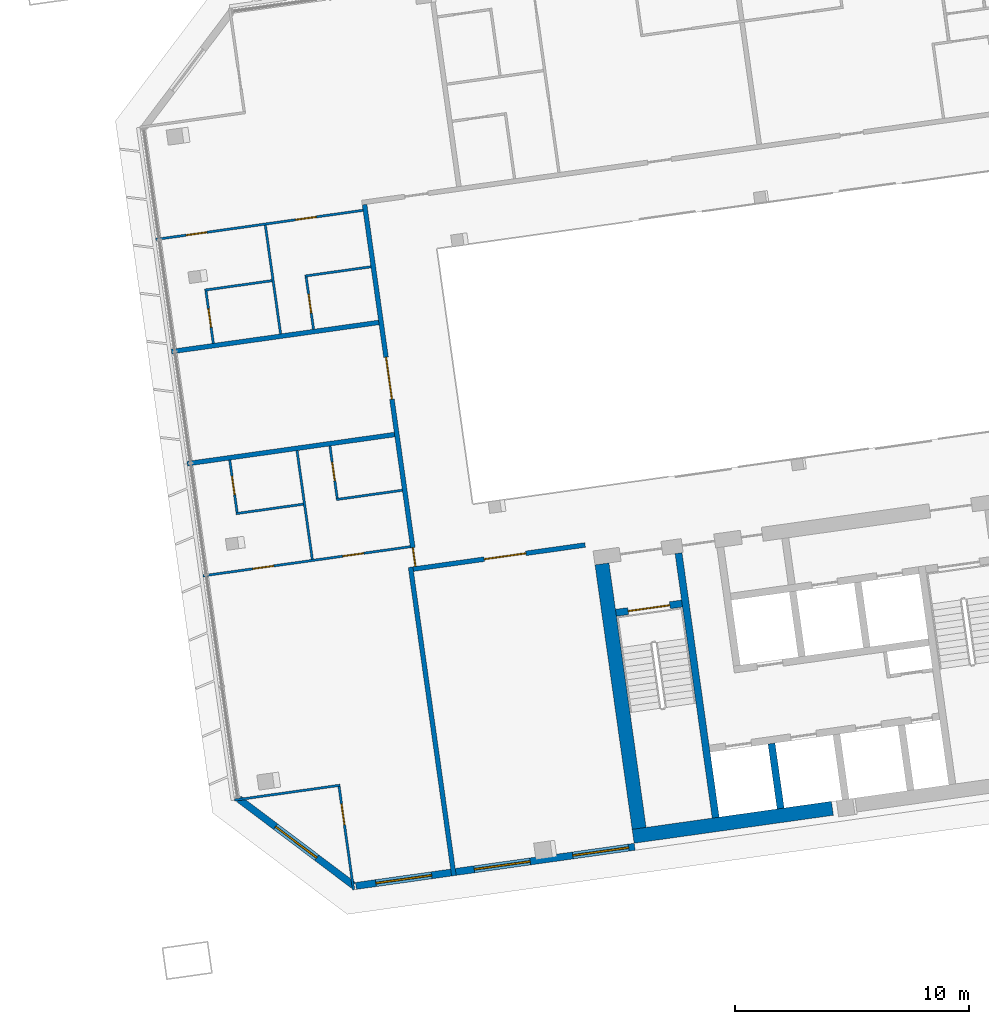
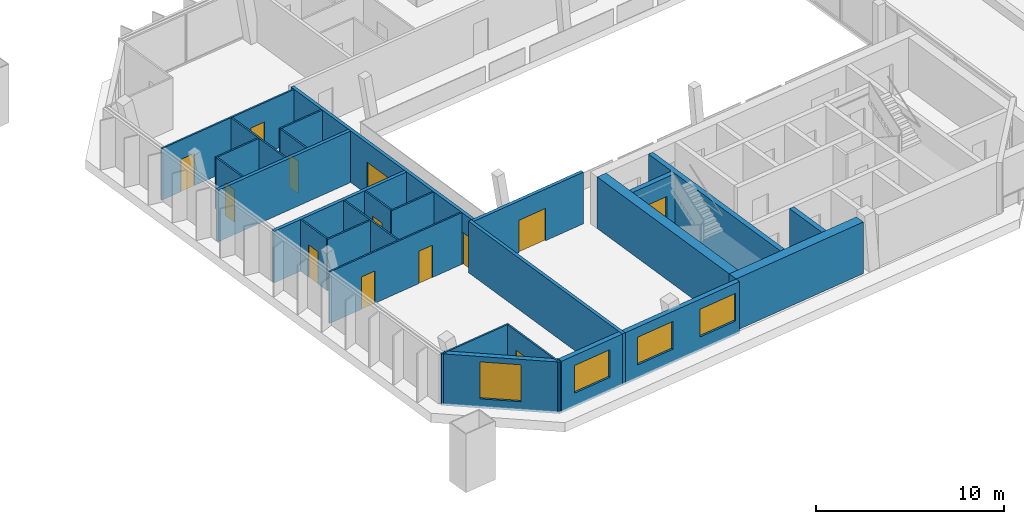
# One storey, part 12 of 17: 26 walls, 13 doors, 4 windows, 17 openings.
"""IFC4 building model written with IfcOpenShell, lengths in metres."""

import ifcopenshell
import ifcopenshell.guid

model = None  # the IFC model being written
_history = None  # IfcOwnerHistory: only IFC2X3 demands one
_inside = {}  # id of a spatial element -> (the spatial element, [elements in it])
_under = {}  # id of a project, library or spatial element -> (it, [spatial elements below it])
_declared = {}  # id of a project -> (the project, [libraries it declares])
_typed = {}  # id of a type object -> (the type object, [elements of that type])
_made_of = {}  # id of a material, layer set ... -> (it, [elements and type objects made of it])


def new_model(schema):
    """Start an empty IFC model of exactly this schema.

    Asked for "IFC4X3", IfcOpenShell would pick the latest addendum, in which some entities
    have other attributes; the version numbers below select the first issue.
    IFC2X3 requires an IfcOwnerHistory on every rooted entity: one is made here for all.
    """
    global model, _history
    if schema == "IFC4X3":
        model = ifcopenshell.file(schema_version=(4, 3, 0, 0))
    else:
        model = ifcopenshell.file(schema=schema)
    _inside.clear()
    _under.clear()
    _declared.clear()
    _typed.clear()
    _made_of.clear()
    _history = None
    if model.schema == "IFC2X3":
        org = make("IfcOrganization", Name="unknown")
        user = make(
            "IfcPersonAndOrganization",
            ThePerson=make("IfcPerson", FamilyName="unknown"),
            TheOrganization=org,
        )
        app = make(
            "IfcApplication",
            ApplicationDeveloper=org,
            Version="unknown",
            ApplicationFullName="unknown",
            ApplicationIdentifier="unknown",
        )
        _history = make(
            "IfcOwnerHistory",
            OwningUser=user,
            OwningApplication=app,
            ChangeAction="ADDED",
            CreationDate=0,
        )
    return model


def make(cls, **values):
    """One entity of the class cls with the attributes given. An attribute that is None is left unset."""
    return model.create_entity(
        cls, **{name: value for name, value in values.items() if value is not None}
    )


def rooted(cls, **values):
    """An entity with a GlobalId (a new one), such as an element, a storey or a relation."""
    return make(cls, GlobalId=ifcopenshell.guid.new(), OwnerHistory=_history, **values)


def si_unit(unit_type, name, prefix=None):
    """IfcSIUnit, for example si_unit("LENGTHUNIT", "METRE", prefix="MILLI")."""
    return make("IfcSIUnit", UnitType=unit_type, Prefix=prefix, Name=name)


def assignment(units):
    """IfcUnitAssignment: the units of a project."""
    return None if units is None else make("IfcUnitAssignment", Units=units)


def point(xyz):
    """IfcCartesianPoint."""
    return None if xyz is None else make("IfcCartesianPoint", Coordinates=xyz)


def direction(xyz):
    """IfcDirection."""
    return None if xyz is None else make("IfcDirection", DirectionRatios=xyz)


def frame(location, z_axis=None, x_axis=None):
    """IfcAxis2Placement3D, a coordinate frame: its origin and axes. An axis left out is left unset."""
    return make(
        "IfcAxis2Placement3D",
        Location=point(location),
        Axis=direction(z_axis),
        RefDirection=direction(x_axis),
    )


def frame_2d(location, x_axis=None):
    """IfcAxis2Placement2D, a coordinate frame in the plane: its origin and x axis."""
    return make(
        "IfcAxis2Placement2D", Location=point(location), RefDirection=direction(x_axis)
    )


def origin():
    """The frame at (0, 0, 0) with its axes left unset."""
    return frame((0.0, 0.0, 0.0))


def place(relative_to, where):
    """IfcLocalPlacement: puts the frame where relative to a parent placement (None: the world)."""
    return make(
        "IfcLocalPlacement", PlacementRelTo=relative_to, RelativePlacement=where
    )


def context(
    kind, dimensions, precision=None, world=None, true_north=None, identifier=None
):
    """IfcGeometricRepresentationContext, for example the 3D "Model" context."""
    return make(
        "IfcGeometricRepresentationContext",
        ContextIdentifier=identifier,
        ContextType=kind,
        CoordinateSpaceDimension=dimensions,
        Precision=precision,
        WorldCoordinateSystem=world,
        TrueNorth=true_north,
    )


def subcontext(parent, identifier, kind, view, scale=None):
    """IfcGeometricRepresentationSubContext, for example "Body" below "Model"."""
    return make(
        "IfcGeometricRepresentationSubContext",
        ContextIdentifier=identifier,
        ContextType=kind,
        ParentContext=parent,
        TargetScale=scale,
        TargetView=view,
    )


def project(units=None, contexts=None):
    """IfcProject with its units and contexts."""
    return rooted(
        "IfcProject",
        Name="project",
        RepresentationContexts=contexts,
        UnitsInContext=assignment(units),
    )


def spatial(cls, under=None, at=None, **own):
    """A site, building, storey or space (cls), placed at a placement, below another one or the project."""
    s = rooted(cls, ObjectPlacement=at, **own)
    if under is not None:
        _under.setdefault(under.id(), (under, []))[1].append(s)
    return s


def profile(cls, at=None, kind="AREA", **sizes):
    """A parametric profile (cls). Its sizes go by their IFC names, for example OverallWidth=200.0."""
    return make(cls, ProfileType=kind, Position=at, **sizes)


def rectangle(**sizes):
    """IfcRectangleProfileDef."""
    return profile("IfcRectangleProfileDef", **sizes)


def extrude(swept, where, along, depth):
    """IfcExtrudedAreaSolid: the profile swept, set in the frame where, extruded along a direction by depth."""
    return make(
        "IfcExtrudedAreaSolid",
        SweptArea=swept,
        Position=where,
        ExtrudedDirection=direction(along),
        Depth=depth,
    )


def shape(context_of_items, identifier, shape_type, items):
    """IfcShapeRepresentation: the items that make up one representation, for example the "Body"."""
    return make(
        "IfcShapeRepresentation",
        ContextOfItems=context_of_items,
        RepresentationIdentifier=identifier,
        RepresentationType=shape_type,
        Items=items,
    )


def material(Name=None, Category=None):
    """IfcMaterial."""
    return make("IfcMaterial", Name=Name, Category=Category)


def layer(
    of_material, thickness, ventilated=None, Name=None, Category=None, Priority=None
):
    """IfcMaterialLayer: one layer of a wall or slab, of a material (None: an air gap)."""
    return make(
        "IfcMaterialLayer",
        Material=of_material,
        LayerThickness=thickness,
        IsVentilated=ventilated,
        Name=Name,
        Category=Category,
        Priority=Priority,
    )


def layer_set(layers, Name=None):
    """IfcMaterialLayerSet."""
    return make("IfcMaterialLayerSet", MaterialLayers=layers, LayerSetName=Name)


def made_of(thing, what):
    """Note that an element or type object is made of a material, layer set ...; save() writes the relation."""
    if what is not None:
        _made_of.setdefault(what.id(), (what, []))[1].append(thing)
    return thing


def type_object(cls, material=None, **own):
    """A type object (cls), such as IfcWallType, which elements share."""
    return made_of(rooted(cls, **own), material)


def element(
    cls,
    number,
    at=None,
    inside=None,
    cuts=None,
    type_object=None,
    material=None,
    context=None,
    identifier="Body",
    shape_type=None,
    held_by="IfcProductDefinitionShape",
    body=None,
    shapes=None,
    **own,
):
    """One element of the class cls, such as IfcWall. Its Tag is "e" and its number.

    at: its placement. inside: the storey or other place that contains it. cuts: it is an
    opening in that element (IfcRelVoidsElement). A single representation is given by context,
    identifier, shape_type and body (its items); several are given by shapes. held_by: the class
    of the entity that holds the representations. save() writes the other relations.
    """
    e = rooted(cls, Tag="e%d" % number, ObjectPlacement=at, **own)
    if body is not None:
        shapes = [shape(context, identifier, shape_type, body)]
    if shapes is not None:
        e.Representation = make(held_by, Representations=shapes)
    if inside is not None:
        _inside.setdefault(inside.id(), (inside, []))[1].append(e)
    if cuts is not None:
        rooted(
            "IfcRelVoidsElement", RelatingBuildingElement=cuts, RelatedOpeningElement=e
        )
    if type_object is not None:
        _typed.setdefault(type_object.id(), (type_object, []))[1].append(e)
    return made_of(e, material)


def fill(opening, filler):
    """IfcRelFillsElement: the door or window that sits in an opening."""
    return rooted(
        "IfcRelFillsElement",
        RelatingOpeningElement=opening,
        RelatedBuildingElement=filler,
    )


def aggregate(whole, parts):
    """IfcRelAggregates: a whole, such as a stair, and the parts it consists of."""
    return rooted("IfcRelAggregates", RelatingObject=whole, RelatedObjects=parts)


def save(model, path):
    """Write the relations noted so far, then the file.

    IfcRelAggregates (storeys below a building ...), IfcRelContainedInSpatialStructure (elements
    in a storey), IfcRelDefinesByType, IfcRelAssociatesMaterial and IfcRelDeclares: one each for
    every whole, place, type object, material and project.
    """
    for whole, parts in _under.values():
        aggregate(whole, parts)
    for where, things in _inside.values():
        rooted(
            "IfcRelContainedInSpatialStructure",
            RelatedElements=things,
            RelatingStructure=where,
        )
    for kind, things in _typed.values():
        rooted("IfcRelDefinesByType", RelatedObjects=things, RelatingType=kind)
    for what, things in _made_of.values():
        rooted("IfcRelAssociatesMaterial", RelatedObjects=things, RelatingMaterial=what)
    for by, libraries in _declared.values():
        rooted("IfcRelDeclares", RelatingContext=by, RelatedDefinitions=libraries)
    model.write(path)


model = new_model("IFC4")

# Units and contexts
model_context = context("Model", 3, precision=1e-05, world=origin(), true_north=direction((0.0, 1.0)))
body_context = subcontext(model_context, "Body", "Model", "MODEL_VIEW")
ifc_project = project(units=[si_unit("LENGTHUNIT", "METRE"), si_unit("AREAUNIT", "SQUARE_METRE"), si_unit("VOLUMEUNIT", "CUBIC_METRE"), si_unit("PLANEANGLEUNIT", "RADIAN"), si_unit("MASSUNIT", "GRAM", prefix="KILO")], contexts=[model_context])

# Site, building, storey
site_placement = place(None, origin())
site = spatial("IfcSite", under=ifc_project, at=site_placement, CompositionType="ELEMENT")
building_placement = place(site_placement, origin())
building = spatial("IfcBuilding", under=site, at=building_placement, Name="Mirante Cascada Hotel Towers", CompositionType="ELEMENT")
storey_placement = place(building_placement, frame((0.0, 0.0, 250.8)))
storey = spatial("IfcBuildingStorey", under=building, at=storey_placement, Name="L60", CompositionType="ELEMENT", Elevation=250.8)

# Wall, opening, door
ifc_material_1 = material(Name="Fire-rated plasterboard on metal studs")
ifc_layer_1 = layer(ifc_material_1, 0.2)
ifc_layer_set_1 = layer_set([ifc_layer_1], Name="Compartment wall 200 EI 120")
wall_type_1 = type_object("IfcWallType", Name="Compartment wall 200 EI 120", PredefinedType="PARTITIONING", material=ifc_layer_set_1)
wall_1_placement = place(storey_placement, frame((35.2634, -7.1173, 0.0), z_axis=(0.0, 0.0, 1.0), x_axis=(-0.9902678, -0.1391748, 0.0)))
wall_1 = element("IfcWall", 1, at=wall_1_placement, inside=storey, type_object=wall_type_1, Name="Wall 2-L60-02", PredefinedType="PARTITIONING", context=body_context, shape_type="SweptSolid", body=[
    extrude(rectangle(XDim=7.4108, YDim=0.2, at=frame_2d((3.7054, 0.0))), origin(), (0.0, 0.0, 1.0), 3.35),
])
opening_1_placement = place(wall_1_placement, frame((2.55, 0.0, 0.0)))
opening_1 = element("IfcOpeningElement", 2, at=opening_1_placement, cuts=wall_1, Name="Opening D2-L60-01", PredefinedType="OPENING", context=body_context, shape_type="SweptSolid", body=[
    extrude(rectangle(XDim=1.8, YDim=2.1, at=frame_2d((0.9, 1.05))), frame((0.0, 0.1, 0.0), z_axis=(0.0, -1.0, 0.0), x_axis=(1.0, 0.0, 0.0)), (0.0, 0.0, 1.0), 0.2),
])
ifc_material_2 = material(Name="Fire-rated timber door leaf", Category="wood")
door_type_1 = type_object("IfcDoorType", Name="Suite double door DG2 1800x2100 EI 60", OperationType="DOUBLE_DOOR_SINGLE_SWING", PredefinedType="DOOR", material=ifc_material_2)
door_1_placement = place(opening_1_placement, origin())
door_1 = element("IfcDoor", 3, at=door_1_placement, inside=storey, type_object=door_type_1, Name="Door D2-L60-01", OperationType="DOUBLE_DOOR_SINGLE_SWING", OverallHeight=2.1, OverallWidth=1.8, PredefinedType="DOOR", context=body_context, shape_type="SweptSolid", body=[
    extrude(rectangle(XDim=0.895, YDim=2.1, at=frame_2d((0.4475, 1.05))), frame((0.0, 0.025, 0.0), z_axis=(0.0, -1.0, 0.0), x_axis=(1.0, 0.0, 0.0)), (0.0, 0.0, 1.0), 0.05),
    extrude(rectangle(XDim=0.895, YDim=2.1, at=frame_2d((1.3525, 1.05))), frame((0.0, 0.025, 0.0), z_axis=(0.0, -1.0, 0.0), x_axis=(1.0, 0.0, 0.0)), (0.0, 0.0, 1.0), 0.05),
])
fill(opening_1, door_1)

# Walls
wall_2_placement = place(storey_placement, frame((27.1282, -2.4036, 0.0), z_axis=(0.0, 0.0, 1.0), x_axis=(-0.9902686, -0.1391696, 0.0)))
element("IfcWall", 4, at=wall_2_placement, inside=storey, type_object=wall_type_1, Name="Wall 2-L60-06", PredefinedType="PARTITIONING", context=body_context, shape_type="SweptSolid", body=[
    extrude(rectangle(XDim=8.9359, YDim=0.2, at=frame_2d((4.468, 0.0))), origin(), (0.0, 0.0, 1.0), 3.35),
])
wall_3_placement = place(storey_placement, frame((17.6066, 1.139, 0.0), z_axis=(0.0, 0.0, 1.0), x_axis=(0.9902672, 0.139179, 0.0)))
element("IfcWall", 5, at=wall_3_placement, inside=storey, type_object=wall_type_1, Name="Wall 2-L60-07", PredefinedType="PARTITIONING", context=body_context, shape_type="SweptSolid", body=[
    extrude(rectangle(XDim=8.936, YDim=0.2, at=frame_2d((4.468, 0.0))), origin(), (0.0, 0.0, 1.0), 3.35),
])
wall_4_placement = place(storey_placement, frame((29.6628, -21.2341, 0.0), z_axis=(0.0, 0.0, 1.0), x_axis=(-0.1391736, 0.990268, 0.0)))
element("IfcWall", 6, at=wall_4_placement, inside=storey, type_object=wall_type_1, Name="Wall 2-L60-27", PredefinedType="PARTITIONING", context=body_context, shape_type="SweptSolid", body=[
    extrude(rectangle(XDim=13.2999, YDim=0.2, at=frame_2d((6.65, 0.0))), origin(), (0.0, 0.0, 1.0), 3.35),
])

# Wall, openings, doors
wall_5_placement = place(storey_placement, frame((25.8494, 7.414, 0.0), z_axis=(0.0, 0.0, 1.0), x_axis=(0.1391783, -0.9902673, 0.0)))
wall_5 = element("IfcWall", 7, at=wall_5_placement, inside=storey, type_object=wall_type_1, Name="Wall 2-L60-28", PredefinedType="PARTITIONING", context=body_context, shape_type="SweptSolid", body=[
    extrude(rectangle(XDim=15.7, YDim=0.2, at=frame_2d((7.85, 0.0))), origin(), (0.0, 0.0, 1.0), 3.35),
])
opening_2_placement = place(wall_5_placement, frame((14.795, 0.0, 0.0)))
opening_2 = element("IfcOpeningElement", 8, at=opening_2_placement, cuts=wall_5, Name="Opening D2-L60-21", PredefinedType="OPENING", context=body_context, shape_type="SweptSolid", body=[
    extrude(rectangle(XDim=0.8, YDim=2.1, at=frame_2d((0.4, 1.05))), frame((0.0, 0.1, 0.0), z_axis=(0.0, -1.0, 0.0), x_axis=(1.0, 0.0, 0.0)), (0.0, 0.0, 1.0), 0.2),
])
opening_3_placement = place(wall_5_placement, frame((6.5834, 0.0, 0.0)))
opening_3 = element("IfcOpeningElement", 9, at=opening_3_placement, cuts=wall_5, Name="Opening D2-L60-22", PredefinedType="OPENING", context=body_context, shape_type="SweptSolid", body=[
    extrude(rectangle(XDim=1.8, YDim=2.1, at=frame_2d((0.9, 1.05))), frame((0.0, 0.1, 0.0), z_axis=(0.0, -1.0, 0.0), x_axis=(1.0, 0.0, 0.0)), (0.0, 0.0, 1.0), 0.2),
])
ifc_material_3 = material(Name="Fire-rated timber door leaf", Category="wood")
door_type_2 = type_object("IfcDoorType", Name="Bathroom door DG4 800x2100 EI 60", OperationType="SINGLE_SWING_LEFT", PredefinedType="DOOR", material=ifc_material_3)
door_2_placement = place(opening_2_placement, frame((0.8, 0.0, 0.0), z_axis=(0.0, 0.0, 1.0), x_axis=(-1.0, 0.0, 0.0)))
door_2 = element("IfcDoor", 10, at=door_2_placement, inside=storey, type_object=door_type_2, Name="Door D2-L60-21", OperationType="SINGLE_SWING_RIGHT", OverallHeight=2.1, OverallWidth=0.8, PredefinedType="DOOR", context=body_context, shape_type="SweptSolid", body=[
    extrude(rectangle(XDim=0.8, YDim=2.1, at=frame_2d((0.4, 1.05))), frame((0.0, 0.025, 0.0), z_axis=(0.0, -1.0, 0.0), x_axis=(1.0, 0.0, 0.0)), (0.0, 0.0, 1.0), 0.05),
])
fill(opening_2, door_2)
door_3_placement = place(opening_3_placement, origin())
door_3 = element("IfcDoor", 11, at=door_3_placement, inside=storey, type_object=door_type_1, Name="Door D2-L60-22", OperationType="DOUBLE_DOOR_SINGLE_SWING", OverallHeight=2.1, OverallWidth=1.8, PredefinedType="DOOR", context=body_context, shape_type="SweptSolid", body=[
    extrude(rectangle(XDim=0.895, YDim=2.1, at=frame_2d((0.4475, 1.05))), frame((0.0, 0.025, 0.0), z_axis=(0.0, -1.0, 0.0), x_axis=(1.0, 0.0, 0.0)), (0.0, 0.0, 1.0), 0.05),
    extrude(rectangle(XDim=0.895, YDim=2.1, at=frame_2d((1.3525, 1.05))), frame((0.0, 0.025, 0.0), z_axis=(0.0, -1.0, 0.0), x_axis=(1.0, 0.0, 0.0)), (0.0, 0.0, 1.0), 0.05),
])
fill(opening_3, door_3)

# Wall
ifc_material_4 = material(Name="Plasterboard on metal studs")
ifc_layer_2 = layer(ifc_material_4, 0.1)
ifc_layer_set_2 = layer_set([ifc_layer_2], Name="Partition 100")
wall_type_2 = type_object("IfcWallType", Name="Partition 100", PredefinedType="PARTITIONING", material=ifc_layer_set_2)
wall_6_placement = place(storey_placement, frame((20.2973, -18.0061, 0.0), z_axis=(0.0, 0.0, 1.0), x_axis=(0.9902691, 0.1391656, 0.0)))
element("IfcWall", 12, at=wall_6_placement, inside=storey, type_object=wall_type_2, Name="Wall 2-L60-01", PredefinedType="PARTITIONING", context=body_context, shape_type="SweptSolid", body=[
    extrude(rectangle(XDim=4.55, YDim=0.1, at=frame_2d((2.275, 0.0))), origin(), (0.0, 0.0, 1.0), 3.35),
])

# Wall, openings, doors
wall_7_placement = place(storey_placement, frame((18.952, -8.4335, 0.0), z_axis=(0.0, 0.0, 1.0), x_axis=(0.9902686, 0.1391696, 0.0)))
wall_7 = element("IfcWall", 13, at=wall_7_placement, inside=storey, type_object=wall_type_2, Name="Wall 2-L60-03", PredefinedType="PARTITIONING", context=body_context, shape_type="SweptSolid", body=[
    extrude(rectangle(XDim=8.9359, YDim=0.1, at=frame_2d((4.468, 0.0))), origin(), (0.0, 0.0, 1.0), 3.35),
])
opening_4_placement = place(wall_7_placement, frame((2.15, 0.0, 0.0)))
opening_4 = element("IfcOpeningElement", 14, at=opening_4_placement, cuts=wall_7, Name="Opening D2-L60-02", PredefinedType="OPENING", context=body_context, shape_type="SweptSolid", body=[
    extrude(rectangle(XDim=0.9, YDim=2.1, at=frame_2d((0.45, 1.05))), frame((0.0, 0.05, 0.0), z_axis=(0.0, -1.0, 0.0), x_axis=(1.0, 0.0, 0.0)), (0.0, 0.0, 1.0), 0.1),
])
opening_5_placement = place(wall_7_placement, frame((6.0269, 0.0, 0.0)))
opening_5 = element("IfcOpeningElement", 15, at=opening_5_placement, cuts=wall_7, Name="Opening D2-L60-03", PredefinedType="OPENING", context=body_context, shape_type="SweptSolid", body=[
    extrude(rectangle(XDim=0.9, YDim=2.1, at=frame_2d((0.45, 1.05))), frame((0.0, 0.05, 0.0), z_axis=(0.0, -1.0, 0.0), x_axis=(1.0, 0.0, 0.0)), (0.0, 0.0, 1.0), 0.1),
])
ifc_material_5 = material(Name="Timber door leaf", Category="wood")
door_type_3 = type_object("IfcDoorType", Name="Room door DG3 900x2100", OperationType="SINGLE_SWING_LEFT", PredefinedType="DOOR", material=ifc_material_5)
door_4_placement = place(opening_4_placement, frame((0.9, 0.0, 0.0), z_axis=(0.0, 0.0, 1.0), x_axis=(-1.0, 0.0, 0.0)))
door_4 = element("IfcDoor", 16, at=door_4_placement, inside=storey, type_object=door_type_3, Name="Door D2-L60-02", OperationType="SINGLE_SWING_RIGHT", OverallHeight=2.1, OverallWidth=0.9, PredefinedType="DOOR", context=body_context, shape_type="SweptSolid", body=[
    extrude(rectangle(XDim=0.9, YDim=2.1, at=frame_2d((0.45, 1.05))), frame((0.0, 0.025, 0.0), z_axis=(0.0, -1.0, 0.0), x_axis=(1.0, 0.0, 0.0)), (0.0, 0.0, 1.0), 0.05),
])
fill(opening_4, door_4)
door_5_placement = place(opening_5_placement, frame((0.9, 0.0, 0.0), z_axis=(0.0, 0.0, 1.0), x_axis=(-1.0, 0.0, 0.0)))
door_5 = element("IfcDoor", 17, at=door_5_placement, inside=storey, type_object=door_type_3, Name="Door D2-L60-03", OperationType="SINGLE_SWING_RIGHT", OverallHeight=2.1, OverallWidth=0.9, PredefinedType="DOOR", context=body_context, shape_type="SweptSolid", body=[
    extrude(rectangle(XDim=0.9, YDim=2.1, at=frame_2d((0.45, 1.05))), frame((0.0, 0.025, 0.0), z_axis=(0.0, -1.0, 0.0), x_axis=(1.0, 0.0, 0.0)), (0.0, 0.0, 1.0), 0.05),
])
fill(opening_5, door_5)

# Walls
wall_8_placement = place(storey_placement, frame((23.2358, -5.3742, 0.0), z_axis=(0.0, 0.0, 1.0), x_axis=(-0.9902683, -0.1391714, 0.0)))
element("IfcWall", 18, at=wall_8_placement, inside=storey, type_object=wall_type_2, Name="Wall 2-L60-04", PredefinedType="PARTITIONING", context=body_context, shape_type="SweptSolid", body=[
    extrude(rectangle(XDim=2.9, YDim=0.1, at=frame_2d((1.45, 0.0))), origin(), (0.0, 0.0, 1.0), 3.35),
])
wall_9_placement = place(storey_placement, frame((24.64, -5.1769, 0.0), z_axis=(0.0, 0.0, 1.0), x_axis=(0.9902649, 0.1391957, 0.0)))
element("IfcWall", 19, at=wall_9_placement, inside=storey, type_object=wall_type_2, Name="Wall 2-L60-05", PredefinedType="PARTITIONING", context=body_context, shape_type="SweptSolid", body=[
    extrude(rectangle(XDim=2.8499, YDim=0.1, at=frame_2d((1.425, 0.0))), origin(), (0.0, 0.0, 1.0), 3.35),
])
wall_10_placement = place(storey_placement, frame((21.8951, 4.1653, 0.0), z_axis=(0.0, 0.0, 1.0), x_axis=(-0.9902683, -0.1391714, 0.0)))
element("IfcWall", 20, at=wall_10_placement, inside=storey, type_object=wall_type_2, Name="Wall 2-L60-08", PredefinedType="PARTITIONING", context=body_context, shape_type="SweptSolid", body=[
    extrude(rectangle(XDim=2.9, YDim=0.1, at=frame_2d((1.45, 0.0))), origin(), (0.0, 0.0, 1.0), 3.35),
])
wall_11_placement = place(storey_placement, frame((23.2993, 4.3627, 0.0), z_axis=(0.0, 0.0, 1.0), x_axis=(0.9902697, 0.1391613, 0.0)))
element("IfcWall", 21, at=wall_11_placement, inside=storey, type_object=wall_type_2, Name="Wall 2-L60-09", PredefinedType="PARTITIONING", context=body_context, shape_type="SweptSolid", body=[
    extrude(rectangle(XDim=2.8499, YDim=0.1, at=frame_2d((1.425, 0.0))), origin(), (0.0, 0.0, 1.0), 3.35),
])

# Wall, openings, doors
wall_12_placement = place(storey_placement, frame((25.7829, 7.169, 0.0), z_axis=(0.0, 0.0, 1.0), x_axis=(-0.9902688, -0.1391681, 0.0)))
wall_12 = element("IfcWall", 22, at=wall_12_placement, inside=storey, type_object=wall_type_2, Name="Wall 2-L60-10", PredefinedType="PARTITIONING", context=body_context, shape_type="SweptSolid", body=[
    extrude(rectangle(XDim=8.936, YDim=0.1, at=frame_2d((4.468, 0.0))), origin(), (0.0, 0.0, 1.0), 3.35),
])
opening_6_placement = place(wall_12_placement, frame((6.727, 0.0, 0.0)))
opening_6 = element("IfcOpeningElement", 23, at=opening_6_placement, cuts=wall_12, Name="Opening D2-L60-04", PredefinedType="OPENING", context=body_context, shape_type="SweptSolid", body=[
    extrude(rectangle(XDim=0.9, YDim=2.1, at=frame_2d((0.45, 1.05))), frame((0.0, 0.05, 0.0), z_axis=(0.0, -1.0, 0.0), x_axis=(1.0, 0.0, 0.0)), (0.0, 0.0, 1.0), 0.1),
])
opening_7_placement = place(wall_12_placement, frame((2.009, 0.0, 0.0)))
opening_7 = element("IfcOpeningElement", 24, at=opening_7_placement, cuts=wall_12, Name="Opening D2-L60-05", PredefinedType="OPENING", context=body_context, shape_type="SweptSolid", body=[
    extrude(rectangle(XDim=0.9, YDim=2.1, at=frame_2d((0.45, 1.05))), frame((0.0, 0.05, 0.0), z_axis=(0.0, -1.0, 0.0), x_axis=(1.0, 0.0, 0.0)), (0.0, 0.0, 1.0), 0.1),
])
door_6_placement = place(opening_6_placement, frame((0.9, 0.0, 0.0), z_axis=(0.0, 0.0, 1.0), x_axis=(-1.0, 0.0, 0.0)))
door_6 = element("IfcDoor", 25, at=door_6_placement, inside=storey, type_object=door_type_3, Name="Door D2-L60-04", OperationType="SINGLE_SWING_RIGHT", OverallHeight=2.1, OverallWidth=0.9, PredefinedType="DOOR", context=body_context, shape_type="SweptSolid", body=[
    extrude(rectangle(XDim=0.9, YDim=2.1, at=frame_2d((0.45, 1.05))), frame((0.0, 0.025, 0.0), z_axis=(0.0, -1.0, 0.0), x_axis=(1.0, 0.0, 0.0)), (0.0, 0.0, 1.0), 0.05),
])
fill(opening_6, door_6)
door_7_placement = place(opening_7_placement, frame((0.9, 0.0, 0.0), z_axis=(0.0, 0.0, 1.0), x_axis=(-1.0, 0.0, 0.0)))
door_7 = element("IfcDoor", 26, at=door_7_placement, inside=storey, type_object=door_type_3, Name="Door D2-L60-05", OperationType="SINGLE_SWING_RIGHT", OverallHeight=2.1, OverallWidth=0.9, PredefinedType="DOOR", context=body_context, shape_type="SweptSolid", body=[
    extrude(rectangle(XDim=0.9, YDim=2.1, at=frame_2d((0.45, 1.05))), frame((0.0, 0.025, 0.0), z_axis=(0.0, -1.0, 0.0), x_axis=(1.0, 0.0, 0.0)), (0.0, 0.0, 1.0), 0.05),
])
fill(opening_7, door_7)

# Wall, opening, door
wall_13_placement = place(storey_placement, frame((20.4066, -5.7214, 0.0), z_axis=(0.0, 0.0, 1.0), x_axis=(-0.1391997, 0.9902643, 0.0)))
wall_13 = element("IfcWall", 27, at=wall_13_placement, inside=storey, type_object=wall_type_2, Name="Wall 2-L60-19", PredefinedType="PARTITIONING", context=body_context, shape_type="SweptSolid", body=[
    extrude(rectangle(XDim=2.25, YDim=0.1, at=frame_2d((1.125, 0.0))), origin(), (0.0, 0.0, 1.0), 3.35),
])
opening_8_placement = place(wall_13_placement, frame((0.75, 0.0, 0.0)))
opening_8 = element("IfcOpeningElement", 28, at=opening_8_placement, cuts=wall_13, Name="Opening D2-L60-15", PredefinedType="OPENING", context=body_context, shape_type="SweptSolid", body=[
    extrude(rectangle(XDim=0.8, YDim=2.1, at=frame_2d((0.4, 1.05))), frame((0.0, 0.05, 0.0), z_axis=(0.0, -1.0, 0.0), x_axis=(1.0, 0.0, 0.0)), (0.0, 0.0, 1.0), 0.1),
])
ifc_material_6 = material(Name="Timber door leaf", Category="wood")
door_type_4 = type_object("IfcDoorType", Name="Bathroom door DG4 800x2100", OperationType="SINGLE_SWING_LEFT", PredefinedType="DOOR", material=ifc_material_6)
door_8_placement = place(opening_8_placement, frame((0.8, 0.0, 0.0), z_axis=(0.0, 0.0, 1.0), x_axis=(-1.0, 0.0, 0.0)))
door_8 = element("IfcDoor", 29, at=door_8_placement, inside=storey, type_object=door_type_4, Name="Door D2-L60-15", OperationType="SINGLE_SWING_RIGHT", OverallHeight=2.1, OverallWidth=0.8, PredefinedType="DOOR", context=body_context, shape_type="SweptSolid", body=[
    extrude(rectangle(XDim=0.8, YDim=2.1, at=frame_2d((0.4, 1.05))), frame((0.0, 0.025, 0.0), z_axis=(0.0, -1.0, 0.0), x_axis=(1.0, 0.0, 0.0)), (0.0, 0.0, 1.0), 0.05),
])
fill(opening_8, door_8)

wall_14_placement = place(storey_placement, frame((19.0798, 3.7192, 0.0), z_axis=(0.0, 0.0, 1.0), x_axis=(0.1391561, -0.9902705, 0.0)))
wall_14 = element("IfcWall", 30, at=wall_14_placement, inside=storey, type_object=wall_type_2, Name="Wall 2-L60-20", PredefinedType="PARTITIONING", context=body_context, shape_type="SweptSolid", body=[
    extrude(rectangle(XDim=2.25, YDim=0.1, at=frame_2d((1.125, 0.0))), origin(), (0.0, 0.0, 1.0), 3.35),
])
opening_9_placement = place(wall_14_placement, frame((0.75, 0.0, 0.0)))
opening_9 = element("IfcOpeningElement", 31, at=opening_9_placement, cuts=wall_14, Name="Opening D2-L60-16", PredefinedType="OPENING", context=body_context, shape_type="SweptSolid", body=[
    extrude(rectangle(XDim=0.8, YDim=2.1, at=frame_2d((0.4, 1.05))), frame((0.0, 0.05, 0.0), z_axis=(0.0, -1.0, 0.0), x_axis=(1.0, 0.0, 0.0)), (0.0, 0.0, 1.0), 0.1),
])
door_9_placement = place(opening_9_placement, origin())
door_9 = element("IfcDoor", 32, at=door_9_placement, inside=storey, type_object=door_type_4, Name="Door D2-L60-16", OperationType="SINGLE_SWING_LEFT", OverallHeight=2.1, OverallWidth=0.8, PredefinedType="DOOR", context=body_context, shape_type="SweptSolid", body=[
    extrude(rectangle(XDim=0.8, YDim=2.1, at=frame_2d((0.4, 1.05))), frame((0.0, 0.025, 0.0), z_axis=(0.0, -1.0, 0.0), x_axis=(1.0, 0.0, 0.0)), (0.0, 0.0, 1.0), 0.05),
])
fill(opening_9, door_9)

wall_15_placement = place(storey_placement, frame((25.3798, -21.8361, 0.0), z_axis=(0.0, 0.0, 1.0), x_axis=(-0.1391684, 0.9902687, 0.0)))
wall_15 = element("IfcWall", 33, at=wall_15_placement, inside=storey, type_object=wall_type_2, Name="Wall 2-L60-21", PredefinedType="PARTITIONING", context=body_context, shape_type="SweptSolid", body=[
    extrude(rectangle(XDim=4.45, YDim=0.1, at=frame_2d((2.225, 0.0))), origin(), (0.0, 0.0, 1.0), 3.35),
])
opening_10_placement = place(wall_15_placement, frame((2.8, 0.0, 0.0)))
opening_10 = element("IfcOpeningElement", 34, at=opening_10_placement, cuts=wall_15, Name="Opening D2-L60-17", PredefinedType="OPENING", context=body_context, shape_type="SweptSolid", body=[
    extrude(rectangle(XDim=0.9, YDim=2.1, at=frame_2d((0.45, 1.05))), frame((0.0, 0.05, 0.0), z_axis=(0.0, -1.0, 0.0), x_axis=(1.0, 0.0, 0.0)), (0.0, 0.0, 1.0), 0.1),
])
door_10_placement = place(opening_10_placement, origin())
door_10 = element("IfcDoor", 35, at=door_10_placement, inside=storey, type_object=door_type_3, Name="Door D2-L60-17", OperationType="SINGLE_SWING_LEFT", OverallHeight=2.1, OverallWidth=0.9, PredefinedType="DOOR", context=body_context, shape_type="SweptSolid", body=[
    extrude(rectangle(XDim=0.9, YDim=2.1, at=frame_2d((0.45, 1.05))), frame((0.0, 0.025, 0.0), z_axis=(0.0, -1.0, 0.0), x_axis=(1.0, 0.0, 0.0)), (0.0, 0.0, 1.0), 0.05),
])
fill(opening_10, door_10)

# Walls
wall_16_placement = place(storey_placement, frame((23.617, -7.7274, 0.0), z_axis=(0.0, 0.0, 1.0), x_axis=(-0.139176, 0.9902677, 0.0)))
element("IfcWall", 36, at=wall_16_placement, inside=storey, type_object=wall_type_2, Name="Wall 2-L60-23", PredefinedType="PARTITIONING", context=body_context, shape_type="SweptSolid", body=[
    extrude(rectangle(XDim=4.6833, YDim=0.1, at=frame_2d((2.3416, 0.0))), origin(), (0.0, 0.0, 1.0), 3.35),
])
wall_17_placement = place(storey_placement, frame((21.6129, 6.5325, 0.0), z_axis=(0.0, 0.0, 1.0), x_axis=(0.139173, -0.9902681, 0.0)))
element("IfcWall", 37, at=wall_17_placement, inside=storey, type_object=wall_type_2, Name="Wall 2-L60-24", PredefinedType="PARTITIONING", context=body_context, shape_type="SweptSolid", body=[
    extrude(rectangle(XDim=4.6834, YDim=0.1, at=frame_2d((2.3417, 0.0))), origin(), (0.0, 0.0, 1.0), 3.35),
])

# Wall, opening, door
wall_18_placement = place(storey_placement, frame((24.6825, -5.1204, 0.0), z_axis=(0.0, 0.0, 1.0), x_axis=(-0.1391561, 0.9902705, 0.0)))
wall_18 = element("IfcWall", 38, at=wall_18_placement, inside=storey, type_object=wall_type_2, Name="Wall 2-L60-25", PredefinedType="PARTITIONING", context=body_context, shape_type="SweptSolid", body=[
    extrude(rectangle(XDim=2.25, YDim=0.1, at=frame_2d((1.125, 0.0))), origin(), (0.0, 0.0, 1.0), 3.35),
])
opening_11_placement = place(wall_18_placement, frame((0.75, 0.0, 0.0)))
opening_11 = element("IfcOpeningElement", 39, at=opening_11_placement, cuts=wall_18, Name="Opening D2-L60-19", PredefinedType="OPENING", context=body_context, shape_type="SweptSolid", body=[
    extrude(rectangle(XDim=0.8, YDim=2.1, at=frame_2d((0.4, 1.05))), frame((0.0, 0.05, 0.0), z_axis=(0.0, -1.0, 0.0), x_axis=(1.0, 0.0, 0.0)), (0.0, 0.0, 1.0), 0.1),
])
door_11_placement = place(opening_11_placement, frame((0.8, 0.0, 0.0), z_axis=(0.0, 0.0, 1.0), x_axis=(-1.0, 0.0, 0.0)))
door_11 = element("IfcDoor", 40, at=door_11_placement, inside=storey, type_object=door_type_4, Name="Door D2-L60-19", OperationType="SINGLE_SWING_RIGHT", OverallHeight=2.1, OverallWidth=0.8, PredefinedType="DOOR", context=body_context, shape_type="SweptSolid", body=[
    extrude(rectangle(XDim=0.8, YDim=2.1, at=frame_2d((0.4, 1.05))), frame((0.0, 0.025, 0.0), z_axis=(0.0, -1.0, 0.0), x_axis=(1.0, 0.0, 0.0)), (0.0, 0.0, 1.0), 0.05),
])
fill(opening_11, door_11)

wall_19_placement = place(storey_placement, frame((23.3557, 4.3201, 0.0), z_axis=(0.0, 0.0, 1.0), x_axis=(0.1391997, -0.9902643, 0.0)))
wall_19 = element("IfcWall", 41, at=wall_19_placement, inside=storey, type_object=wall_type_2, Name="Wall 2-L60-26", PredefinedType="PARTITIONING", context=body_context, shape_type="SweptSolid", body=[
    extrude(rectangle(XDim=2.25, YDim=0.1, at=frame_2d((1.125, 0.0))), origin(), (0.0, 0.0, 1.0), 3.35),
])
opening_12_placement = place(wall_19_placement, frame((0.75, 0.0, 0.0)))
opening_12 = element("IfcOpeningElement", 42, at=opening_12_placement, cuts=wall_19, Name="Opening D2-L60-20", PredefinedType="OPENING", context=body_context, shape_type="SweptSolid", body=[
    extrude(rectangle(XDim=0.8, YDim=2.1, at=frame_2d((0.4, 1.05))), frame((0.0, 0.05, 0.0), z_axis=(0.0, -1.0, 0.0), x_axis=(1.0, 0.0, 0.0)), (0.0, 0.0, 1.0), 0.1),
])
door_12_placement = place(opening_12_placement, origin())
door_12 = element("IfcDoor", 43, at=door_12_placement, inside=storey, type_object=door_type_4, Name="Door D2-L60-20", OperationType="SINGLE_SWING_LEFT", OverallHeight=2.1, OverallWidth=0.8, PredefinedType="DOOR", context=body_context, shape_type="SweptSolid", body=[
    extrude(rectangle(XDim=0.8, YDim=2.1, at=frame_2d((0.4, 1.05))), frame((0.0, 0.025, 0.0), z_axis=(0.0, -1.0, 0.0), x_axis=(1.0, 0.0, 0.0)), (0.0, 0.0, 1.0), 0.05),
])
fill(opening_12, door_12)

# Wall, openings, windows
ifc_material_7 = material(Name="Precast concrete C40/50", Category="concrete")
ifc_layer_3 = layer(ifc_material_7, 0.3)
ifc_layer_set_3 = layer_set([ifc_layer_3], Name="Precast concrete C40/50 cladding wall 300")
wall_type_3 = type_object("IfcWallType", Name="Precast concrete C40/50 cladding wall 300", PredefinedType="STANDARD", material=ifc_layer_set_3)
wall_20_placement = place(storey_placement, frame((25.4818, -21.6702, 0.0), z_axis=(0.0, 0.0, 1.0), x_axis=(0.9902683, 0.1391715, 0.0)))
wall_20 = element("IfcWall", 44, at=wall_20_placement, inside=storey, type_object=wall_type_3, Name="Rear cladding wall T2 L60 1", PredefinedType="STANDARD", context=body_context, shape_type="SweptSolid", body=[
    extrude(rectangle(XDim=12.0118, YDim=0.3, at=frame_2d((6.0059, 0.0))), origin(), (0.0, 0.0, 1.0), 3.35),
])
opening_13_placement = place(wall_20_placement, frame((0.8603, 0.0, 0.9)))
opening_13 = element("IfcOpeningElement", 45, at=opening_13_placement, cuts=wall_20, Name="Opening W2-60-01", PredefinedType="OPENING", context=body_context, shape_type="SweptSolid", body=[
    extrude(rectangle(XDim=2.4, YDim=1.8, at=frame_2d((1.2, 0.9))), frame((0.0, 0.15, 0.0), z_axis=(0.0, -1.0, 0.0), x_axis=(1.0, 0.0, 0.0)), (0.0, 0.0, 1.0), 0.3),
])
opening_14_placement = place(wall_20_placement, frame((5.1048, 0.0, 0.9)))
opening_14 = element("IfcOpeningElement", 46, at=opening_14_placement, cuts=wall_20, Name="Opening W2-60-02", PredefinedType="OPENING", context=body_context, shape_type="SweptSolid", body=[
    extrude(rectangle(XDim=2.4, YDim=1.8, at=frame_2d((1.2, 0.9))), frame((0.0, 0.15, 0.0), z_axis=(0.0, -1.0, 0.0), x_axis=(1.0, 0.0, 0.0)), (0.0, 0.0, 1.0), 0.3),
])
opening_15_placement = place(wall_20_placement, frame((9.3493, 0.0, 0.9)))
opening_15 = element("IfcOpeningElement", 47, at=opening_15_placement, cuts=wall_20, Name="Opening W2-60-03", PredefinedType="OPENING", context=body_context, shape_type="SweptSolid", body=[
    extrude(rectangle(XDim=2.4, YDim=1.8, at=frame_2d((1.2, 0.9))), frame((0.0, 0.15, 0.0), z_axis=(0.0, -1.0, 0.0), x_axis=(1.0, 0.0, 0.0)), (0.0, 0.0, 1.0), 0.3),
])
ifc_material_8 = material(Name="Aluminium frame with clear double glazing", Category="aluminium")
window_type_1 = type_object("IfcWindowType", Name="Punched window 2400x1800", PartitioningType="DOUBLE_PANEL_VERTICAL", PredefinedType="WINDOW", material=ifc_material_8)
window_1_placement = place(opening_13_placement, origin())
window_1 = element("IfcWindow", 48, at=window_1_placement, inside=storey, type_object=window_type_1, Name="Window W2-60-01", OverallHeight=1.8, OverallWidth=2.4, PartitioningType="SINGLE_PANEL", PredefinedType="WINDOW", context=body_context, shape_type="SweptSolid", body=[
    extrude(rectangle(XDim=2.4, YDim=1.8, at=frame_2d((1.2, 0.9))), frame((0.0, 0.03, 0.0), z_axis=(0.0, -1.0, 0.0), x_axis=(1.0, 0.0, 0.0)), (0.0, 0.0, 1.0), 0.06),
])
fill(opening_13, window_1)
window_2_placement = place(opening_14_placement, origin())
window_2 = element("IfcWindow", 49, at=window_2_placement, inside=storey, type_object=window_type_1, Name="Window W2-60-02", OverallHeight=1.8, OverallWidth=2.4, PartitioningType="SINGLE_PANEL", PredefinedType="WINDOW", context=body_context, shape_type="SweptSolid", body=[
    extrude(rectangle(XDim=2.4, YDim=1.8, at=frame_2d((1.2, 0.9))), frame((0.0, 0.03, 0.0), z_axis=(0.0, -1.0, 0.0), x_axis=(1.0, 0.0, 0.0)), (0.0, 0.0, 1.0), 0.06),
])
fill(opening_14, window_2)
window_3_placement = place(opening_15_placement, origin())
window_3 = element("IfcWindow", 50, at=window_3_placement, inside=storey, type_object=window_type_1, Name="Window W2-60-03", OverallHeight=1.8, OverallWidth=2.4, PartitioningType="SINGLE_PANEL", PredefinedType="WINDOW", context=body_context, shape_type="SweptSolid", body=[
    extrude(rectangle(XDim=2.4, YDim=1.8, at=frame_2d((1.2, 0.9))), frame((0.0, 0.03, 0.0), z_axis=(0.0, -1.0, 0.0), x_axis=(1.0, 0.0, 0.0)), (0.0, 0.0, 1.0), 0.06),
])
fill(opening_15, window_3)

# Wall, opening, window
wall_21_placement = place(storey_placement, frame((20.4867, -17.961, 0.0), z_axis=(0.0, 0.0, 1.0), x_axis=(0.7986283, -0.6018245, 0.0)))
wall_21 = element("IfcWall", 51, at=wall_21_placement, inside=storey, type_object=wall_type_3, Name="Corner cladding wall T2 L60 inner rear", PredefinedType="STANDARD", context=body_context, shape_type="SweptSolid", body=[
    extrude(rectangle(XDim=6.1157, YDim=0.3, at=frame_2d((3.0578, 0.0))), origin(), (0.0, 0.0, 1.0), 3.35),
])
opening_16_placement = place(wall_21_placement, frame((1.9578, 0.0, 0.6)))
opening_16 = element("IfcOpeningElement", 52, at=opening_16_placement, cuts=wall_21, Name="Opening W2-60-07", PredefinedType="OPENING", context=body_context, shape_type="SweptSolid", body=[
    extrude(rectangle(XDim=2.2, YDim=2.4, at=frame_2d((1.1, 1.2))), frame((0.0, 0.15, 0.0), z_axis=(0.0, -1.0, 0.0), x_axis=(1.0, 0.0, 0.0)), (0.0, 0.0, 1.0), 0.3),
])
ifc_material_9 = material(Name="Aluminium frame with clear double glazing", Category="aluminium")
window_type_2 = type_object("IfcWindowType", Name="Corner suite window 2200x2400", PartitioningType="DOUBLE_PANEL_VERTICAL", PredefinedType="WINDOW", material=ifc_material_9)
window_4_placement = place(opening_16_placement, origin())
window_4 = element("IfcWindow", 53, at=window_4_placement, inside=storey, type_object=window_type_2, Name="Window W2-60-07", OverallHeight=2.4, OverallWidth=2.2, PartitioningType="SINGLE_PANEL", PredefinedType="WINDOW", context=body_context, shape_type="SweptSolid", body=[
    extrude(rectangle(XDim=2.2, YDim=2.4, at=frame_2d((1.1, 1.2))), frame((0.0, 0.03, 0.0), z_axis=(0.0, -1.0, 0.0), x_axis=(1.0, 0.0, 0.0)), (0.0, 0.0, 1.0), 0.06),
])
fill(opening_16, window_4)

# Wall
ifc_material_10 = material(Name="Concrete C50/60", Category="concrete")
ifc_layer_4 = layer(ifc_material_10, 0.3)
ifc_layer_set_4 = layer_set([ifc_layer_4], Name="RC core wall 300 C50/60")
wall_type_4 = type_object("IfcWallType", Name="RC core wall 300 C50/60", PredefinedType="SHEAR", material=ifc_layer_set_4)
wall_22_placement = place(storey_placement, frame((40.8373, -18.7548, 0.0), z_axis=(0.0, 0.0, 1.0), x_axis=(-0.1391749, 0.9902678, 0.0)))
element("IfcWall", 54, at=wall_22_placement, inside=storey, type_object=wall_type_4, Name="Core wall T2:L60:5", PredefinedType="SHEAR", context=body_context, shape_type="SweptSolid", body=[
    extrude(rectangle(XDim=11.4, YDim=0.3, at=frame_2d((5.7, 0.0))), origin(), (0.0, 0.0, 1.0), 3.35),
])

# Wall, opening, door
wall_23_placement = place(storey_placement, frame((36.5791, -10.0123, 0.0), z_axis=(0.0, 0.0, 1.0), x_axis=(0.9902704, 0.1391564, 0.0)))
wall_23 = element("IfcWall", 55, at=wall_23_placement, inside=storey, type_object=wall_type_4, Name="Core wall T2:L60:8", PredefinedType="SHEAR", context=body_context, shape_type="SweptSolid", body=[
    extrude(rectangle(XDim=2.85, YDim=0.3, at=frame_2d((1.425, 0.0))), origin(), (0.0, 0.0, 1.0), 3.35),
])
opening_17_placement = place(wall_23_placement, frame((0.525, 0.0, 0.0)))
opening_17 = element("IfcOpeningElement", 56, at=opening_17_placement, cuts=wall_23, Name="Opening D2-60-C07", PredefinedType="OPENING", context=body_context, shape_type="SweptSolid", body=[
    extrude(rectangle(XDim=1.8, YDim=2.1, at=frame_2d((0.9, 1.05))), frame((0.0, 0.15, 0.0), z_axis=(0.0, -1.0, 0.0), x_axis=(1.0, 0.0, 0.0)), (0.0, 0.0, 1.0), 0.3),
])
ifc_material_11 = material(Name="Hollow metal fire door leaf")
door_type_5 = type_object("IfcDoorType", Name="Double fire door 1800x2100 FD60", OperationType="DOUBLE_DOOR_SINGLE_SWING", PredefinedType="DOOR", material=ifc_material_11)
door_13_placement = place(opening_17_placement, frame((1.8, 0.0, 0.0), z_axis=(0.0, 0.0, 1.0), x_axis=(-1.0, 0.0, 0.0)))
door_13 = element("IfcDoor", 57, at=door_13_placement, inside=storey, type_object=door_type_5, Name="Stair door T2 L60 7", OperationType="DOUBLE_DOOR_SINGLE_SWING", OverallHeight=2.1, OverallWidth=1.8, PredefinedType="DOOR", context=body_context, shape_type="SweptSolid", body=[
    extrude(rectangle(XDim=0.895, YDim=2.1, at=frame_2d((0.4475, 1.05))), frame((0.0, 0.025, 0.0), z_axis=(0.0, -1.0, 0.0), x_axis=(1.0, 0.0, 0.0)), (0.0, 0.0, 1.0), 0.05),
    extrude(rectangle(XDim=0.895, YDim=2.1, at=frame_2d((1.3525, 1.05))), frame((0.0, 0.025, 0.0), z_axis=(0.0, -1.0, 0.0), x_axis=(1.0, 0.0, 0.0)), (0.0, 0.0, 1.0), 0.05),
])
fill(opening_17, door_13)

# Walls
wall_24_placement = place(storey_placement, frame((43.61, -18.3651, 0.0), z_axis=(0.0, 0.0, 1.0), x_axis=(-0.1391459, 0.9902719, 0.0)))
element("IfcWall", 58, at=wall_24_placement, inside=storey, type_object=wall_type_4, Name="Core wall T2:L60:13", PredefinedType="SHEAR", context=body_context, shape_type="SweptSolid", body=[
    extrude(rectangle(XDim=2.7999, YDim=0.3, at=frame_2d((1.4, 0.0))), origin(), (0.0, 0.0, 1.0), 3.35),
])
ifc_material_12 = material(Name="Concrete C50/60", Category="concrete")
ifc_layer_5 = layer(ifc_material_12, 0.6)
ifc_layer_set_5 = layer_set([ifc_layer_5], Name="RC core wall 600 C50/60")
wall_type_5 = type_object("IfcWallType", Name="RC core wall 600 C50/60", PredefinedType="SHEAR", material=ifc_layer_set_5)
wall_25_placement = place(storey_placement, frame((37.3141, -19.5529, 0.0), z_axis=(0.0, 0.0, 1.0), x_axis=(0.9902686, 0.1391695, 0.0)))
element("IfcWall", 59, at=wall_25_placement, inside=storey, type_object=wall_type_5, Name="Core wall T2:L60:1.1", PredefinedType="SHEAR", context=body_context, shape_type="SweptSolid", body=[
    extrude(rectangle(XDim=8.5874, YDim=0.6, at=frame_2d((4.2937, 0.0))), origin(), (0.0, 0.0, 1.0), 3.35),
])
wall_26_placement = place(storey_placement, frame((37.5694, -19.2141, 0.0), z_axis=(0.0, 0.0, 1.0), x_axis=(-0.1391749, 0.9902678, 0.0)))
element("IfcWall", 60, at=wall_26_placement, inside=storey, type_object=wall_type_5, Name="Core wall T2:L60:3", PredefinedType="SHEAR", context=body_context, shape_type="SweptSolid", body=[
    extrude(rectangle(XDim=11.4, YDim=0.6, at=frame_2d((5.7, 0.0))), origin(), (0.0, 0.0, 1.0), 3.35),
])

save(model, "model.ifc")
